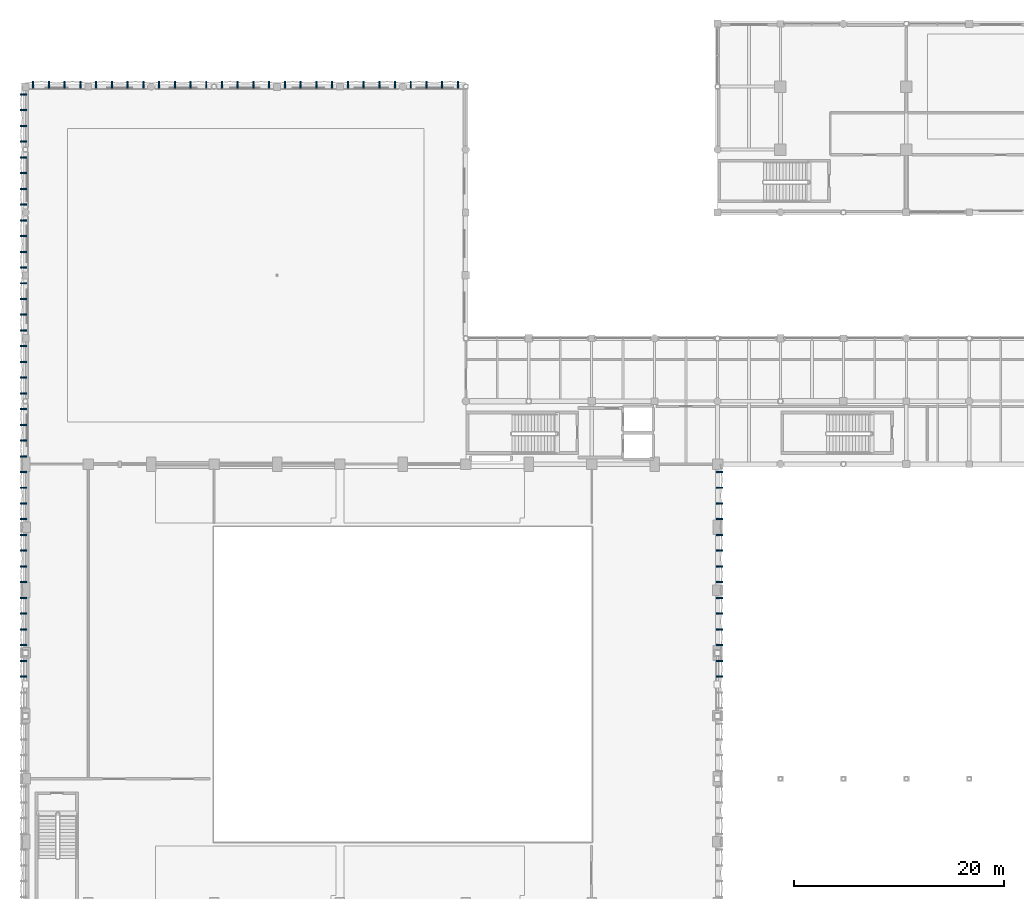
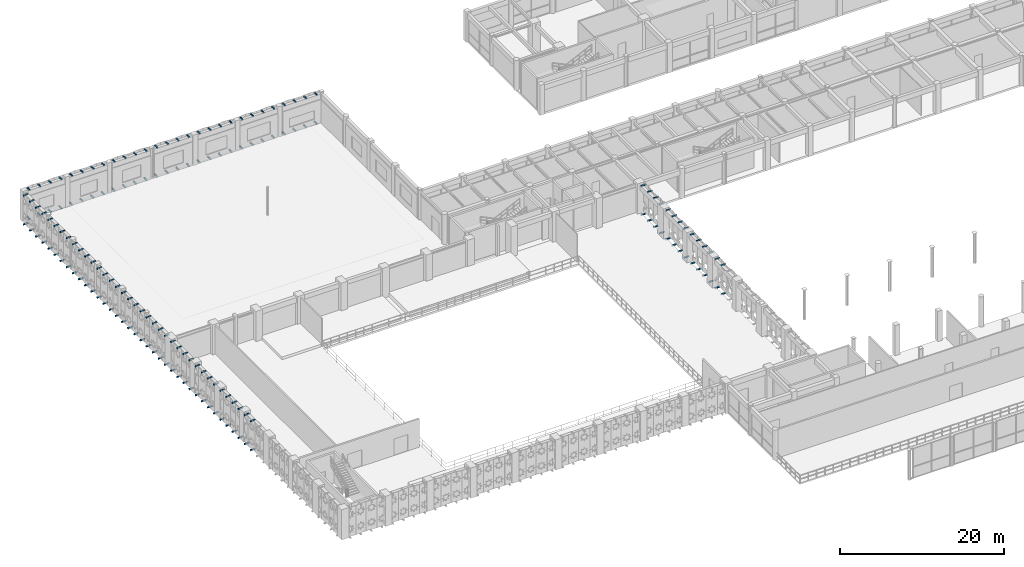
# One storey, part 103 of 116: 160 discrete accessories.
"""IFC4 building model written with IfcOpenShell, lengths in metres."""

import ifcopenshell
import ifcopenshell.guid

model = None  # the IFC model being written
_history = None  # IfcOwnerHistory: only IFC2X3 demands one
_inside = {}  # id of a spatial element -> (the spatial element, [elements in it])
_under = {}  # id of a project, library or spatial element -> (it, [spatial elements below it])
_declared = {}  # id of a project -> (the project, [libraries it declares])
_typed = {}  # id of a type object -> (the type object, [elements of that type])
_made_of = {}  # id of a material, layer set ... -> (it, [elements and type objects made of it])


def new_model(schema):
    """Start an empty IFC model of exactly this schema.

    Asked for "IFC4X3", IfcOpenShell would pick the latest addendum, in which some entities
    have other attributes; the version numbers below select the first issue.
    IFC2X3 requires an IfcOwnerHistory on every rooted entity: one is made here for all.
    """
    global model, _history
    if schema == "IFC4X3":
        model = ifcopenshell.file(schema_version=(4, 3, 0, 0))
    else:
        model = ifcopenshell.file(schema=schema)
    _inside.clear()
    _under.clear()
    _declared.clear()
    _typed.clear()
    _made_of.clear()
    _history = None
    if model.schema == "IFC2X3":
        org = make("IfcOrganization", Name="unknown")
        user = make(
            "IfcPersonAndOrganization",
            ThePerson=make("IfcPerson", FamilyName="unknown"),
            TheOrganization=org,
        )
        app = make(
            "IfcApplication",
            ApplicationDeveloper=org,
            Version="unknown",
            ApplicationFullName="unknown",
            ApplicationIdentifier="unknown",
        )
        _history = make(
            "IfcOwnerHistory",
            OwningUser=user,
            OwningApplication=app,
            ChangeAction="ADDED",
            CreationDate=0,
        )
    return model


def make(cls, **values):
    """One entity of the class cls with the attributes given. An attribute that is None is left unset."""
    return model.create_entity(
        cls, **{name: value for name, value in values.items() if value is not None}
    )


def rooted(cls, **values):
    """An entity with a GlobalId (a new one), such as an element, a storey or a relation."""
    return make(cls, GlobalId=ifcopenshell.guid.new(), OwnerHistory=_history, **values)


def si_unit(unit_type, name, prefix=None):
    """IfcSIUnit, for example si_unit("LENGTHUNIT", "METRE", prefix="MILLI")."""
    return make("IfcSIUnit", UnitType=unit_type, Prefix=prefix, Name=name)


def assignment(units):
    """IfcUnitAssignment: the units of a project."""
    return None if units is None else make("IfcUnitAssignment", Units=units)


def point(xyz):
    """IfcCartesianPoint."""
    return None if xyz is None else make("IfcCartesianPoint", Coordinates=xyz)


def direction(xyz):
    """IfcDirection."""
    return None if xyz is None else make("IfcDirection", DirectionRatios=xyz)


def frame(location, z_axis=None, x_axis=None):
    """IfcAxis2Placement3D, a coordinate frame: its origin and axes. An axis left out is left unset."""
    return make(
        "IfcAxis2Placement3D",
        Location=point(location),
        Axis=direction(z_axis),
        RefDirection=direction(x_axis),
    )


def frame_2d(location, x_axis=None):
    """IfcAxis2Placement2D, a coordinate frame in the plane: its origin and x axis."""
    return make(
        "IfcAxis2Placement2D", Location=point(location), RefDirection=direction(x_axis)
    )


def origin():
    """The frame at (0, 0, 0) with its axes left unset."""
    return frame((0.0, 0.0, 0.0))


def origin_2d():
    """The frame at (0, 0) in the plane with its x axis left unset."""
    return frame_2d((0.0, 0.0))


def place(relative_to, where):
    """IfcLocalPlacement: puts the frame where relative to a parent placement (None: the world)."""
    return make(
        "IfcLocalPlacement", PlacementRelTo=relative_to, RelativePlacement=where
    )


def context(
    kind, dimensions, precision=None, world=None, true_north=None, identifier=None
):
    """IfcGeometricRepresentationContext, for example the 3D "Model" context."""
    return make(
        "IfcGeometricRepresentationContext",
        ContextIdentifier=identifier,
        ContextType=kind,
        CoordinateSpaceDimension=dimensions,
        Precision=precision,
        WorldCoordinateSystem=world,
        TrueNorth=true_north,
    )


def subcontext(parent, identifier, kind, view, scale=None):
    """IfcGeometricRepresentationSubContext, for example "Body" below "Model"."""
    return make(
        "IfcGeometricRepresentationSubContext",
        ContextIdentifier=identifier,
        ContextType=kind,
        ParentContext=parent,
        TargetScale=scale,
        TargetView=view,
    )


def project(units=None, contexts=None):
    """IfcProject with its units and contexts."""
    return rooted(
        "IfcProject",
        Name="project",
        RepresentationContexts=contexts,
        UnitsInContext=assignment(units),
    )


def spatial(cls, under=None, at=None, **own):
    """A site, building, storey or space (cls), placed at a placement, below another one or the project."""
    s = rooted(cls, ObjectPlacement=at, **own)
    if under is not None:
        _under.setdefault(under.id(), (under, []))[1].append(s)
    return s


def profile(cls, at=None, kind="AREA", **sizes):
    """A parametric profile (cls). Its sizes go by their IFC names, for example OverallWidth=200.0."""
    return make(cls, ProfileType=kind, Position=at, **sizes)


def rectangle(**sizes):
    """IfcRectangleProfileDef."""
    return profile("IfcRectangleProfileDef", **sizes)


def extrude(swept, where, along, depth):
    """IfcExtrudedAreaSolid: the profile swept, set in the frame where, extruded along a direction by depth."""
    return make(
        "IfcExtrudedAreaSolid",
        SweptArea=swept,
        Position=where,
        ExtrudedDirection=direction(along),
        Depth=depth,
    )


def shape(context_of_items, identifier, shape_type, items):
    """IfcShapeRepresentation: the items that make up one representation, for example the "Body"."""
    return make(
        "IfcShapeRepresentation",
        ContextOfItems=context_of_items,
        RepresentationIdentifier=identifier,
        RepresentationType=shape_type,
        Items=items,
    )


def material(Name=None, Category=None):
    """IfcMaterial."""
    return make("IfcMaterial", Name=Name, Category=Category)


def made_of(thing, what):
    """Note that an element or type object is made of a material, layer set ...; save() writes the relation."""
    if what is not None:
        _made_of.setdefault(what.id(), (what, []))[1].append(thing)
    return thing


def type_object(cls, material=None, **own):
    """A type object (cls), such as IfcWallType, which elements share."""
    return made_of(rooted(cls, **own), material)


def element(
    cls,
    number,
    at=None,
    inside=None,
    cuts=None,
    type_object=None,
    material=None,
    context=None,
    identifier="Body",
    shape_type=None,
    held_by="IfcProductDefinitionShape",
    body=None,
    shapes=None,
    **own,
):
    """One element of the class cls, such as IfcWall. Its Tag is "e" and its number.

    at: its placement. inside: the storey or other place that contains it. cuts: it is an
    opening in that element (IfcRelVoidsElement). A single representation is given by context,
    identifier, shape_type and body (its items); several are given by shapes. held_by: the class
    of the entity that holds the representations. save() writes the other relations.
    """
    e = rooted(cls, Tag="e%d" % number, ObjectPlacement=at, **own)
    if body is not None:
        shapes = [shape(context, identifier, shape_type, body)]
    if shapes is not None:
        e.Representation = make(held_by, Representations=shapes)
    if inside is not None:
        _inside.setdefault(inside.id(), (inside, []))[1].append(e)
    if cuts is not None:
        rooted(
            "IfcRelVoidsElement", RelatingBuildingElement=cuts, RelatedOpeningElement=e
        )
    if type_object is not None:
        _typed.setdefault(type_object.id(), (type_object, []))[1].append(e)
    return made_of(e, material)


def aggregate(whole, parts):
    """IfcRelAggregates: a whole, such as a stair, and the parts it consists of."""
    return rooted("IfcRelAggregates", RelatingObject=whole, RelatedObjects=parts)


def save(model, path):
    """Write the relations noted so far, then the file.

    IfcRelAggregates (storeys below a building ...), IfcRelContainedInSpatialStructure (elements
    in a storey), IfcRelDefinesByType, IfcRelAssociatesMaterial and IfcRelDeclares: one each for
    every whole, place, type object, material and project.
    """
    for whole, parts in _under.values():
        aggregate(whole, parts)
    for where, things in _inside.values():
        rooted(
            "IfcRelContainedInSpatialStructure",
            RelatedElements=things,
            RelatingStructure=where,
        )
    for kind, things in _typed.values():
        rooted("IfcRelDefinesByType", RelatedObjects=things, RelatingType=kind)
    for what, things in _made_of.values():
        rooted("IfcRelAssociatesMaterial", RelatedObjects=things, RelatingMaterial=what)
    for by, libraries in _declared.values():
        rooted("IfcRelDeclares", RelatingContext=by, RelatedDefinitions=libraries)
    model.write(path)


model = new_model("IFC4")

# Units and contexts
model_context = context("Model", 3, precision=1e-05, world=origin(), true_north=direction((0.0, 1.0)))
body_context = subcontext(model_context, "Body", "Model", "MODEL_VIEW")
ifc_project = project(units=[si_unit("LENGTHUNIT", "METRE"), si_unit("AREAUNIT", "SQUARE_METRE"), si_unit("VOLUMEUNIT", "CUBIC_METRE"), si_unit("PLANEANGLEUNIT", "RADIAN"), si_unit("MASSUNIT", "GRAM", prefix="KILO"), si_unit("THERMODYNAMICTEMPERATUREUNIT", "KELVIN"), si_unit("POWERUNIT", "WATT")], contexts=[model_context])

# Site, building, storey
site_placement = place(None, origin())
site = spatial("IfcSite", under=ifc_project, at=site_placement, CompositionType="ELEMENT")
building_placement = place(site_placement, origin())
building = spatial("IfcBuilding", under=site, at=building_placement, Name="Phaisarnlok Congress Hotel", CompositionType="ELEMENT")
storey_placement = place(building_placement, frame((0.0, 0.0, 10.5)))
storey = spatial("IfcBuildingStorey", under=building, at=storey_placement, Name="L02", CompositionType="ELEMENT", Elevation=10.5)

# Discrete accessories
ifc_material = material(Name="Steel S355", Category="steel")
discrete_accessory_type = type_object("IfcDiscreteAccessoryType", Name="ACC-BRK-STL", PredefinedType="BRACKET", material=ifc_material)
for number, where, z_axis, x_axis, name in (
    (1, (-0.183837890625, 63.75, -0.18017578125), (0.0, 0.0, 1.0), (1.0, 0.0, 0.0), "Solar screen steel outrigger bracket BK-01"),
    (2, (-0.183837890625, 63.75, 4.1201171875), (0.0, 0.0, 1.0), (1.0, 0.0, 0.0), "Solar screen steel outrigger bracket BK-01"),
    (3, (-0.183837890625, 65.25, -0.18017578125), (0.0, 0.0, 1.0), (1.0, 0.0, 0.0), "Solar screen steel outrigger bracket BK-01"),
    (4, (-0.183837890625, 65.25, 4.1201171875), (0.0, 0.0, 1.0), (1.0, 0.0, 0.0), "Solar screen steel outrigger bracket BK-01"),
    (5, (-0.183837890625, 66.75, -0.18017578125), (0.0, 0.0, 1.0), (1.0, 0.0, 0.0), "Solar screen steel outrigger bracket BK-01"),
    (6, (-0.183837890625, 66.75, 4.1201171875), (0.0, 0.0, 1.0), (1.0, 0.0, 0.0), "Solar screen steel outrigger bracket BK-01"),
    (7, (-0.183837890625, 68.25, -0.18017578125), (0.0, 0.0, 1.0), (1.0, 0.0, 0.0), "Solar screen steel outrigger bracket BK-01"),
    (8, (-0.183837890625, 68.25, 4.1201171875), (0.0, 0.0, 1.0), (1.0, 0.0, 0.0), "Solar screen steel outrigger bracket BK-01"),
    (9, (-0.183837890625, 69.75, -0.18017578125), (0.0, 0.0, 1.0), (1.0, 0.0, 0.0), "Solar screen steel outrigger bracket BK-01"),
    (10, (-0.183837890625, 69.75, 4.1201171875), (0.0, 0.0, 1.0), (1.0, 0.0, 0.0), "Solar screen steel outrigger bracket BK-01"),
    (11, (-0.183837890625, 71.25, -0.18017578125), (0.0, 0.0, 1.0), (1.0, 0.0, 0.0), "Solar screen steel outrigger bracket BK-01"),
    (12, (-0.183837890625, 71.25, 4.1201171875), (0.0, 0.0, 1.0), (1.0, 0.0, 0.0), "Solar screen steel outrigger bracket BK-01"),
    (13, (-0.183837890625, 72.75, -0.18017578125), (0.0, 0.0, 1.0), (1.0, 0.0, 0.0), "Solar screen steel outrigger bracket BK-01"),
    (14, (-0.183837890625, 72.75, 4.1201171875), (0.0, 0.0, 1.0), (1.0, 0.0, 0.0), "Solar screen steel outrigger bracket BK-01"),
    (15, (-0.183837890625, 74.25, -0.18017578125), (0.0, 0.0, 1.0), (1.0, 0.0, 0.0), "Solar screen steel outrigger bracket BK-01"),
    (16, (-0.183837890625, 74.25, 4.1201171875), (0.0, 0.0, 1.0), (1.0, 0.0, 0.0), "Solar screen steel outrigger bracket BK-01"),
    (17, (-0.183837890625, 75.75, -0.18017578125), (0.0, 0.0, 1.0), (1.0, 0.0, 0.0), "Solar screen steel outrigger bracket BK-01"),
    (18, (-0.183837890625, 75.75, 4.1201171875), (0.0, 0.0, 1.0), (1.0, 0.0, 0.0), "Solar screen steel outrigger bracket BK-01"),
    (19, (-0.183837890625, 77.25, -0.18017578125), (0.0, 0.0, 1.0), (1.0, 0.0, 0.0), "Solar screen steel outrigger bracket BK-01"),
    (20, (-0.183837890625, 77.25, 4.1201171875), (0.0, 0.0, 1.0), (1.0, 0.0, 0.0), "Solar screen steel outrigger bracket BK-01"),
    (21, (-0.183837890625, 78.75, -0.18017578125), (0.0, 0.0, 1.0), (1.0, 0.0, 0.0), "Solar screen steel outrigger bracket BK-01"),
    (22, (-0.183837890625, 78.75, 4.1201171875), (0.0, 0.0, 1.0), (1.0, 0.0, 0.0), "Solar screen steel outrigger bracket BK-01"),
    (23, (-0.183837890625, 80.25, -0.18017578125), (0.0, 0.0, 1.0), (1.0, 0.0, 0.0), "Solar screen steel outrigger bracket BK-01"),
    (24, (-0.183837890625, 80.25, 4.1201171875), (0.0, 0.0, 1.0), (1.0, 0.0, 0.0), "Solar screen steel outrigger bracket BK-01"),
    (25, (-0.183837890625, 81.75, -0.18017578125), (0.0, 0.0, 1.0), (1.0, 0.0, 0.0), "Solar screen steel outrigger bracket BK-01"),
    (26, (-0.183837890625, 81.75, 4.1201171875), (0.0, 0.0, 1.0), (1.0, 0.0, 0.0), "Solar screen steel outrigger bracket BK-01"),
    (27, (-0.183837890625, 83.25, -0.18017578125), (0.0, 0.0, 1.0), (1.0, 0.0, 0.0), "Solar screen steel outrigger bracket BK-01"),
    (28, (-0.183837890625, 83.25, 4.1201171875), (0.0, 0.0, 1.0), (1.0, 0.0, 0.0), "Solar screen steel outrigger bracket BK-01"),
    (29, (66.183837890625, 63.75, -0.18017578125), (0.0, 0.0, 1.0), (1.0, 0.0, 0.0), "Solar screen steel outrigger bracket BK-01"),
    (30, (66.183837890625, 63.75, 4.1201171875), (0.0, 0.0, 1.0), (1.0, 0.0, 0.0), "Solar screen steel outrigger bracket BK-01"),
    (31, (66.183837890625, 65.25, -0.18017578125), (0.0, 0.0, 1.0), (1.0, 0.0, 0.0), "Solar screen steel outrigger bracket BK-01"),
    (32, (66.183837890625, 65.25, 4.1201171875), (0.0, 0.0, 1.0), (1.0, 0.0, 0.0), "Solar screen steel outrigger bracket BK-01"),
    (33, (66.183837890625, 66.75, -0.18017578125), (0.0, 0.0, 1.0), (1.0, 0.0, 0.0), "Solar screen steel outrigger bracket BK-01"),
    (34, (66.183837890625, 66.75, 4.1201171875), (0.0, 0.0, 1.0), (1.0, 0.0, 0.0), "Solar screen steel outrigger bracket BK-01"),
    (35, (66.183837890625, 68.25, -0.18017578125), (0.0, 0.0, 1.0), (1.0, 0.0, 0.0), "Solar screen steel outrigger bracket BK-01"),
    (36, (66.183837890625, 68.25, 4.1201171875), (0.0, 0.0, 1.0), (1.0, 0.0, 0.0), "Solar screen steel outrigger bracket BK-01"),
    (37, (66.183837890625, 69.75, -0.18017578125), (0.0, 0.0, 1.0), (1.0, 0.0, 0.0), "Solar screen steel outrigger bracket BK-01"),
    (38, (66.183837890625, 69.75, 4.1201171875), (0.0, 0.0, 1.0), (1.0, 0.0, 0.0), "Solar screen steel outrigger bracket BK-01"),
    (39, (66.183837890625, 71.25, -0.18017578125), (0.0, 0.0, 1.0), (1.0, 0.0, 0.0), "Solar screen steel outrigger bracket BK-01"),
    (40, (66.183837890625, 71.25, 4.1201171875), (0.0, 0.0, 1.0), (1.0, 0.0, 0.0), "Solar screen steel outrigger bracket BK-01"),
    (41, (66.183837890625, 72.75, -0.18017578125), (0.0, 0.0, 1.0), (1.0, 0.0, 0.0), "Solar screen steel outrigger bracket BK-01"),
    (42, (66.183837890625, 72.75, 4.1201171875), (0.0, 0.0, 1.0), (1.0, 0.0, 0.0), "Solar screen steel outrigger bracket BK-01"),
    (43, (66.183837890625, 74.25, -0.18017578125), (0.0, 0.0, 1.0), (1.0, 0.0, 0.0), "Solar screen steel outrigger bracket BK-01"),
    (44, (66.183837890625, 74.25, 4.1201171875), (0.0, 0.0, 1.0), (1.0, 0.0, 0.0), "Solar screen steel outrigger bracket BK-01"),
    (45, (66.183837890625, 75.75, -0.18017578125), (0.0, 0.0, 1.0), (1.0, 0.0, 0.0), "Solar screen steel outrigger bracket BK-01"),
    (46, (66.183837890625, 75.75, 4.1201171875), (0.0, 0.0, 1.0), (1.0, 0.0, 0.0), "Solar screen steel outrigger bracket BK-01"),
    (47, (66.183837890625, 77.25, -0.18017578125), (0.0, 0.0, 1.0), (1.0, 0.0, 0.0), "Solar screen steel outrigger bracket BK-01"),
    (48, (66.183837890625, 77.25, 4.1201171875), (0.0, 0.0, 1.0), (1.0, 0.0, 0.0), "Solar screen steel outrigger bracket BK-01"),
    (49, (66.183837890625, 78.75, -0.18017578125), (0.0, 0.0, 1.0), (1.0, 0.0, 0.0), "Solar screen steel outrigger bracket BK-01"),
    (50, (66.183837890625, 78.75, 4.1201171875), (0.0, 0.0, 1.0), (1.0, 0.0, 0.0), "Solar screen steel outrigger bracket BK-01"),
    (51, (66.183837890625, 80.25, -0.18017578125), (0.0, 0.0, 1.0), (1.0, 0.0, 0.0), "Solar screen steel outrigger bracket BK-01"),
    (52, (66.183837890625, 80.25, 4.1201171875), (0.0, 0.0, 1.0), (1.0, 0.0, 0.0), "Solar screen steel outrigger bracket BK-01"),
    (53, (66.183837890625, 81.75, -0.18017578125), (0.0, 0.0, 1.0), (1.0, 0.0, 0.0), "Solar screen steel outrigger bracket BK-01"),
    (54, (66.183837890625, 81.75, 4.1201171875), (0.0, 0.0, 1.0), (1.0, 0.0, 0.0), "Solar screen steel outrigger bracket BK-01"),
    (55, (66.183837890625, 83.25, -0.18017578125), (0.0, 0.0, 1.0), (1.0, 0.0, 0.0), "Solar screen steel outrigger bracket BK-01"),
    (56, (66.183837890625, 83.25, 4.1201171875), (0.0, 0.0, 1.0), (1.0, 0.0, 0.0), "Solar screen steel outrigger bracket BK-01"),
    (57, (-0.183837890625, 84.75, -0.18017578125), (0.0, 0.0, 1.0), (1.0, 0.0, 0.0), "Solar screen steel outrigger bracket BK-01"),
    (58, (-0.183837890625, 84.75, 4.1201171875), (0.0, 0.0, 1.0), (1.0, 0.0, 0.0), "Solar screen steel outrigger bracket BK-01"),
    (59, (-0.183837890625, 86.25, -0.18017578125), (0.0, 0.0, 1.0), (1.0, 0.0, 0.0), "Solar screen steel outrigger bracket BK-01"),
    (60, (-0.183837890625, 86.25, 4.1201171875), (0.0, 0.0, 1.0), (1.0, 0.0, 0.0), "Solar screen steel outrigger bracket BK-01"),
    (61, (-0.183837890625, 87.75, -0.18017578125), (0.0, 0.0, 1.0), (1.0, 0.0, 0.0), "Solar screen steel outrigger bracket BK-01"),
    (62, (-0.183837890625, 87.75, 4.1201171875), (0.0, 0.0, 1.0), (1.0, 0.0, 0.0), "Solar screen steel outrigger bracket BK-01"),
    (63, (-0.183837890625, 89.25, -0.18017578125), (0.0, 0.0, 1.0), (1.0, 0.0, 0.0), "Solar screen steel outrigger bracket BK-01"),
    (64, (-0.183837890625, 89.25, 4.1201171875), (0.0, 0.0, 1.0), (1.0, 0.0, 0.0), "Solar screen steel outrigger bracket BK-01"),
    (65, (-0.183837890625, 90.75, -0.18017578125), (0.0, 0.0, 1.0), (1.0, 0.0, 0.0), "Solar screen steel outrigger bracket BK-01"),
    (66, (-0.183837890625, 90.75, 4.1201171875), (0.0, 0.0, 1.0), (1.0, 0.0, 0.0), "Solar screen steel outrigger bracket BK-01"),
    (67, (-0.183837890625, 92.25, -0.18017578125), (0.0, 0.0, 1.0), (1.0, 0.0, 0.0), "Solar screen steel outrigger bracket BK-01"),
    (68, (-0.183837890625, 92.25, 4.1201171875), (0.0, 0.0, 1.0), (1.0, 0.0, 0.0), "Solar screen steel outrigger bracket BK-01"),
    (69, (-0.183837890625, 93.75, -0.18017578125), (0.0, 0.0, 1.0), (1.0, 0.0, 0.0), "Solar screen steel outrigger bracket BK-01"),
    (70, (-0.183837890625, 93.75, 4.1201171875), (0.0, 0.0, 1.0), (1.0, 0.0, 0.0), "Solar screen steel outrigger bracket BK-01"),
    (71, (-0.183837890625, 95.25, -0.18017578125), (0.0, 0.0, 1.0), (1.0, 0.0, 0.0), "Solar screen steel outrigger bracket BK-01"),
    (72, (-0.183837890625, 95.25, 4.1201171875), (0.0, 0.0, 1.0), (1.0, 0.0, 0.0), "Solar screen steel outrigger bracket BK-01"),
    (73, (-0.183837890625, 96.75, -0.18017578125), (0.0, 0.0, 1.0), (1.0, 0.0, 0.0), "Solar screen steel outrigger bracket BK-01"),
    (74, (-0.183837890625, 96.75, 4.1201171875), (0.0, 0.0, 1.0), (1.0, 0.0, 0.0), "Solar screen steel outrigger bracket BK-01"),
    (75, (-0.183837890625, 98.25, -0.18017578125), (0.0, 0.0, 1.0), (1.0, 0.0, 0.0), "Solar screen steel outrigger bracket BK-01"),
    (76, (-0.183837890625, 98.25, 4.1201171875), (0.0, 0.0, 1.0), (1.0, 0.0, 0.0), "Solar screen steel outrigger bracket BK-01"),
    (77, (-0.183837890625, 99.75, -0.18017578125), (0.0, 0.0, 1.0), (1.0, 0.0, 0.0), "Solar screen steel outrigger bracket BK-01"),
    (78, (-0.183837890625, 99.75, 4.1201171875), (0.0, 0.0, 1.0), (1.0, 0.0, 0.0), "Solar screen steel outrigger bracket BK-01"),
    (79, (-0.183837890625, 101.25, -0.18017578125), (0.0, 0.0, 1.0), (1.0, 0.0, 0.0), "Solar screen steel outrigger bracket BK-01"),
    (80, (-0.183837890625, 101.25, 4.1201171875), (0.0, 0.0, 1.0), (1.0, 0.0, 0.0), "Solar screen steel outrigger bracket BK-01"),
    (81, (-0.183837890625, 102.75, -0.18017578125), (0.0, 0.0, 1.0), (1.0, 0.0, 0.0), "Solar screen steel outrigger bracket BK-01"),
    (82, (-0.183837890625, 102.75, 4.1201171875), (0.0, 0.0, 1.0), (1.0, 0.0, 0.0), "Solar screen steel outrigger bracket BK-01"),
    (83, (-0.183837890625, 104.25, -0.18017578125), (0.0, 0.0, 1.0), (1.0, 0.0, 0.0), "Solar screen steel outrigger bracket BK-01"),
    (84, (-0.183837890625, 104.25, 4.1201171875), (0.0, 0.0, 1.0), (1.0, 0.0, 0.0), "Solar screen steel outrigger bracket BK-01"),
    (85, (-0.183837890625, 105.75, -0.18017578125), (0.0, 0.0, 1.0), (1.0, 0.0, 0.0), "Solar screen steel outrigger bracket BK-01"),
    (86, (-0.183837890625, 105.75, 4.1201171875), (0.0, 0.0, 1.0), (1.0, 0.0, 0.0), "Solar screen steel outrigger bracket BK-01"),
    (87, (-0.183837890625, 107.25, -0.18017578125), (0.0, 0.0, 1.0), (1.0, 0.0, 0.0), "Solar screen steel outrigger bracket BK-01"),
    (88, (-0.183837890625, 107.25, 4.1201171875), (0.0, 0.0, 1.0), (1.0, 0.0, 0.0), "Solar screen steel outrigger bracket BK-01"),
    (89, (-0.183837890625, 108.75, -0.18017578125), (0.0, 0.0, 1.0), (1.0, 0.0, 0.0), "Solar screen steel outrigger bracket BK-01"),
    (90, (-0.183837890625, 108.75, 4.1201171875), (0.0, 0.0, 1.0), (1.0, 0.0, 0.0), "Solar screen steel outrigger bracket BK-01"),
    (91, (-0.183837890625, 110.25, -0.18017578125), (0.0, 0.0, 1.0), (1.0, 0.0, 0.0), "Solar screen steel outrigger bracket BK-01"),
    (92, (-0.183837890625, 110.25, 4.1201171875), (0.0, 0.0, 1.0), (1.0, 0.0, 0.0), "Solar screen steel outrigger bracket BK-01"),
    (93, (-0.183837890625, 111.75, -0.18017578125), (0.0, 0.0, 1.0), (1.0, 0.0, 0.0), "Solar screen steel outrigger bracket BK-01"),
    (94, (-0.183837890625, 111.75, 4.1201171875), (0.0, 0.0, 1.0), (1.0, 0.0, 0.0), "Solar screen steel outrigger bracket BK-01"),
    (95, (-0.183837890625, 113.25, -0.18017578125), (0.0, 0.0, 1.0), (1.0, 0.0, 0.0), "Solar screen steel outrigger bracket BK-01"),
    (96, (-0.183837890625, 113.25, 4.1201171875), (0.0, 0.0, 1.0), (1.0, 0.0, 0.0), "Solar screen steel outrigger bracket BK-01"),
    (97, (-0.183837890625, 114.75, -0.18017578125), (0.0, 0.0, 1.0), (1.0, 0.0, 0.0), "Solar screen steel outrigger bracket BK-01"),
    (98, (-0.183837890625, 114.75, 4.1201171875), (0.0, 0.0, 1.0), (1.0, 0.0, 0.0), "Solar screen steel outrigger bracket BK-01"),
    (99, (-0.183837890625, 116.25, -0.18017578125), (0.0, 0.0, 1.0), (1.0, 0.0, 0.0), "Solar screen steel outrigger bracket BK-01"),
    (100, (-0.183837890625, 116.25, 4.1201171875), (0.0, 0.0, 1.0), (1.0, 0.0, 0.0), "Solar screen steel outrigger bracket BK-01"),
    (101, (-0.183837890625, 117.75, -0.18017578125), (0.0, 0.0, 1.0), (1.0, 0.0, 0.0), "Solar screen steel outrigger bracket BK-01"),
    (102, (-0.183837890625, 117.75, 4.1201171875), (0.0, 0.0, 1.0), (1.0, 0.0, 0.0), "Solar screen steel outrigger bracket BK-01"),
    (103, (-0.183837890625, 119.25, -0.18017578125), (0.0, 0.0, 1.0), (1.0, 0.0, 0.0), "Solar screen steel outrigger bracket BK-01"),
    (104, (-0.183837890625, 119.25, 4.1201171875), (0.0, 0.0, 1.0), (1.0, 0.0, 0.0), "Solar screen steel outrigger bracket BK-01"),
):
    element("IfcDiscreteAccessory", number, at=place(storey_placement, frame(where, z_axis=z_axis, x_axis=x_axis)), inside=storey, type_object=discrete_accessory_type, Name=name, PredefinedType="BRACKET", context=body_context, shape_type="SweptSolid", body=[
        extrude(rectangle(XDim=0.647705078125, YDim=0.139892578125, at=origin_2d()), origin(), (0.0, 0.0, 1.0), 0.159912109375),
    ])
for number, where, z_axis, x_axis, name in (
    (105, (0.75, 120.183837890625, -0.18017578125), (0.0, 0.0, 1.0), (1.0, 0.0, 0.0), "Solar screen steel outrigger bracket BK-01"),
    (106, (0.75, 120.183837890625, 4.1201171875), (0.0, 0.0, 1.0), (1.0, 0.0, 0.0), "Solar screen steel outrigger bracket BK-01"),
    (107, (2.25, 120.183837890625, -0.18017578125), (0.0, 0.0, 1.0), (1.0, 0.0, 0.0), "Solar screen steel outrigger bracket BK-01"),
    (108, (2.25, 120.183837890625, 4.1201171875), (0.0, 0.0, 1.0), (1.0, 0.0, 0.0), "Solar screen steel outrigger bracket BK-01"),
    (109, (3.75, 120.183837890625, -0.18017578125), (0.0, 0.0, 1.0), (1.0, 0.0, 0.0), "Solar screen steel outrigger bracket BK-01"),
    (110, (3.75, 120.183837890625, 4.1201171875), (0.0, 0.0, 1.0), (1.0, 0.0, 0.0), "Solar screen steel outrigger bracket BK-01"),
    (111, (5.25, 120.183837890625, -0.18017578125), (0.0, 0.0, 1.0), (1.0, 0.0, 0.0), "Solar screen steel outrigger bracket BK-01"),
    (112, (5.25, 120.183837890625, 4.1201171875), (0.0, 0.0, 1.0), (1.0, 0.0, 0.0), "Solar screen steel outrigger bracket BK-01"),
    (113, (6.75, 120.183837890625, -0.18017578125), (0.0, 0.0, 1.0), (1.0, 0.0, 0.0), "Solar screen steel outrigger bracket BK-01"),
    (114, (6.75, 120.183837890625, 4.1201171875), (0.0, 0.0, 1.0), (1.0, 0.0, 0.0), "Solar screen steel outrigger bracket BK-01"),
    (115, (8.25, 120.183837890625, -0.18017578125), (0.0, 0.0, 1.0), (1.0, 0.0, 0.0), "Solar screen steel outrigger bracket BK-01"),
    (116, (8.25, 120.183837890625, 4.1201171875), (0.0, 0.0, 1.0), (1.0, 0.0, 0.0), "Solar screen steel outrigger bracket BK-01"),
    (117, (9.75, 120.183837890625, -0.18017578125), (0.0, 0.0, 1.0), (1.0, 0.0, 0.0), "Solar screen steel outrigger bracket BK-01"),
    (118, (9.75, 120.183837890625, 4.1201171875), (0.0, 0.0, 1.0), (1.0, 0.0, 0.0), "Solar screen steel outrigger bracket BK-01"),
    (119, (11.25, 120.183837890625, -0.18017578125), (0.0, 0.0, 1.0), (1.0, 0.0, 0.0), "Solar screen steel outrigger bracket BK-01"),
    (120, (11.25, 120.183837890625, 4.1201171875), (0.0, 0.0, 1.0), (1.0, 0.0, 0.0), "Solar screen steel outrigger bracket BK-01"),
    (121, (12.75, 120.183837890625, -0.18017578125), (0.0, 0.0, 1.0), (1.0, 0.0, 0.0), "Solar screen steel outrigger bracket BK-01"),
    (122, (12.75, 120.183837890625, 4.1201171875), (0.0, 0.0, 1.0), (1.0, 0.0, 0.0), "Solar screen steel outrigger bracket BK-01"),
    (123, (14.25, 120.183837890625, -0.18017578125), (0.0, 0.0, 1.0), (1.0, 0.0, 0.0), "Solar screen steel outrigger bracket BK-01"),
    (124, (14.25, 120.183837890625, 4.1201171875), (0.0, 0.0, 1.0), (1.0, 0.0, 0.0), "Solar screen steel outrigger bracket BK-01"),
    (125, (15.75, 120.183837890625, -0.18017578125), (0.0, 0.0, 1.0), (1.0, 0.0, 0.0), "Solar screen steel outrigger bracket BK-01"),
    (126, (15.75, 120.183837890625, 4.1201171875), (0.0, 0.0, 1.0), (1.0, 0.0, 0.0), "Solar screen steel outrigger bracket BK-01"),
    (127, (17.25, 120.183837890625, -0.18017578125), (0.0, 0.0, 1.0), (1.0, 0.0, 0.0), "Solar screen steel outrigger bracket BK-01"),
    (128, (17.25, 120.183837890625, 4.1201171875), (0.0, 0.0, 1.0), (1.0, 0.0, 0.0), "Solar screen steel outrigger bracket BK-01"),
    (129, (18.75, 120.183837890625, -0.18017578125), (0.0, 0.0, 1.0), (1.0, 0.0, 0.0), "Solar screen steel outrigger bracket BK-01"),
    (130, (18.75, 120.183837890625, 4.1201171875), (0.0, 0.0, 1.0), (1.0, 0.0, 0.0), "Solar screen steel outrigger bracket BK-01"),
    (131, (20.25, 120.183837890625, -0.18017578125), (0.0, 0.0, 1.0), (1.0, 0.0, 0.0), "Solar screen steel outrigger bracket BK-01"),
    (132, (20.25, 120.183837890625, 4.1201171875), (0.0, 0.0, 1.0), (1.0, 0.0, 0.0), "Solar screen steel outrigger bracket BK-01"),
    (133, (21.75, 120.183837890625, -0.18017578125), (0.0, 0.0, 1.0), (1.0, 0.0, 0.0), "Solar screen steel outrigger bracket BK-01"),
    (134, (21.75, 120.183837890625, 4.1201171875), (0.0, 0.0, 1.0), (1.0, 0.0, 0.0), "Solar screen steel outrigger bracket BK-01"),
    (135, (23.25, 120.183837890625, -0.18017578125), (0.0, 0.0, 1.0), (1.0, 0.0, 0.0), "Solar screen steel outrigger bracket BK-01"),
    (136, (23.25, 120.183837890625, 4.1201171875), (0.0, 0.0, 1.0), (1.0, 0.0, 0.0), "Solar screen steel outrigger bracket BK-01"),
    (137, (24.75, 120.183837890625, -0.18017578125), (0.0, 0.0, 1.0), (1.0, 0.0, 0.0), "Solar screen steel outrigger bracket BK-01"),
    (138, (24.75, 120.183837890625, 4.1201171875), (0.0, 0.0, 1.0), (1.0, 0.0, 0.0), "Solar screen steel outrigger bracket BK-01"),
    (139, (26.25, 120.183837890625, -0.18017578125), (0.0, 0.0, 1.0), (1.0, 0.0, 0.0), "Solar screen steel outrigger bracket BK-01"),
    (140, (26.25, 120.183837890625, 4.1201171875), (0.0, 0.0, 1.0), (1.0, 0.0, 0.0), "Solar screen steel outrigger bracket BK-01"),
    (141, (27.75, 120.183837890625, -0.18017578125), (0.0, 0.0, 1.0), (1.0, 0.0, 0.0), "Solar screen steel outrigger bracket BK-01"),
    (142, (27.75, 120.183837890625, 4.1201171875), (0.0, 0.0, 1.0), (1.0, 0.0, 0.0), "Solar screen steel outrigger bracket BK-01"),
    (143, (29.25, 120.183837890625, -0.18017578125), (0.0, 0.0, 1.0), (1.0, 0.0, 0.0), "Solar screen steel outrigger bracket BK-01"),
    (144, (29.25, 120.183837890625, 4.1201171875), (0.0, 0.0, 1.0), (1.0, 0.0, 0.0), "Solar screen steel outrigger bracket BK-01"),
    (145, (30.75, 120.183837890625, -0.18017578125), (0.0, 0.0, 1.0), (1.0, 0.0, 0.0), "Solar screen steel outrigger bracket BK-01"),
    (146, (30.75, 120.183837890625, 4.1201171875), (0.0, 0.0, 1.0), (1.0, 0.0, 0.0), "Solar screen steel outrigger bracket BK-01"),
    (147, (32.25, 120.183837890625, -0.18017578125), (0.0, 0.0, 1.0), (1.0, 0.0, 0.0), "Solar screen steel outrigger bracket BK-01"),
    (148, (32.25, 120.183837890625, 4.1201171875), (0.0, 0.0, 1.0), (1.0, 0.0, 0.0), "Solar screen steel outrigger bracket BK-01"),
    (149, (33.75, 120.183837890625, -0.18017578125), (0.0, 0.0, 1.0), (1.0, 0.0, 0.0), "Solar screen steel outrigger bracket BK-01"),
    (150, (33.75, 120.183837890625, 4.1201171875), (0.0, 0.0, 1.0), (1.0, 0.0, 0.0), "Solar screen steel outrigger bracket BK-01"),
    (151, (35.25, 120.183837890625, -0.18017578125), (0.0, 0.0, 1.0), (1.0, 0.0, 0.0), "Solar screen steel outrigger bracket BK-01"),
    (152, (35.25, 120.183837890625, 4.1201171875), (0.0, 0.0, 1.0), (1.0, 0.0, 0.0), "Solar screen steel outrigger bracket BK-01"),
    (153, (36.75, 120.183837890625, -0.18017578125), (0.0, 0.0, 1.0), (1.0, 0.0, 0.0), "Solar screen steel outrigger bracket BK-01"),
    (154, (36.75, 120.183837890625, 4.1201171875), (0.0, 0.0, 1.0), (1.0, 0.0, 0.0), "Solar screen steel outrigger bracket BK-01"),
    (155, (38.25, 120.183837890625, -0.18017578125), (0.0, 0.0, 1.0), (1.0, 0.0, 0.0), "Solar screen steel outrigger bracket BK-01"),
    (156, (38.25, 120.183837890625, 4.1201171875), (0.0, 0.0, 1.0), (1.0, 0.0, 0.0), "Solar screen steel outrigger bracket BK-01"),
    (157, (39.75, 120.183837890625, -0.18017578125), (0.0, 0.0, 1.0), (1.0, 0.0, 0.0), "Solar screen steel outrigger bracket BK-01"),
    (158, (39.75, 120.183837890625, 4.1201171875), (0.0, 0.0, 1.0), (1.0, 0.0, 0.0), "Solar screen steel outrigger bracket BK-01"),
    (159, (41.25, 120.183837890625, -0.18017578125), (0.0, 0.0, 1.0), (1.0, 0.0, 0.0), "Solar screen steel outrigger bracket BK-01"),
    (160, (41.25, 120.183837890625, 4.1201171875), (0.0, 0.0, 1.0), (1.0, 0.0, 0.0), "Solar screen steel outrigger bracket BK-01"),
):
    element("IfcDiscreteAccessory", number, at=place(storey_placement, frame(where, z_axis=z_axis, x_axis=x_axis)), inside=storey, type_object=discrete_accessory_type, Name=name, PredefinedType="BRACKET", context=body_context, shape_type="SweptSolid", body=[
        extrude(rectangle(XDim=0.139892578125, YDim=0.647705078125, at=origin_2d()), origin(), (0.0, 0.0, 1.0), 0.159912109375),
    ])

save(model, "model.ifc")
